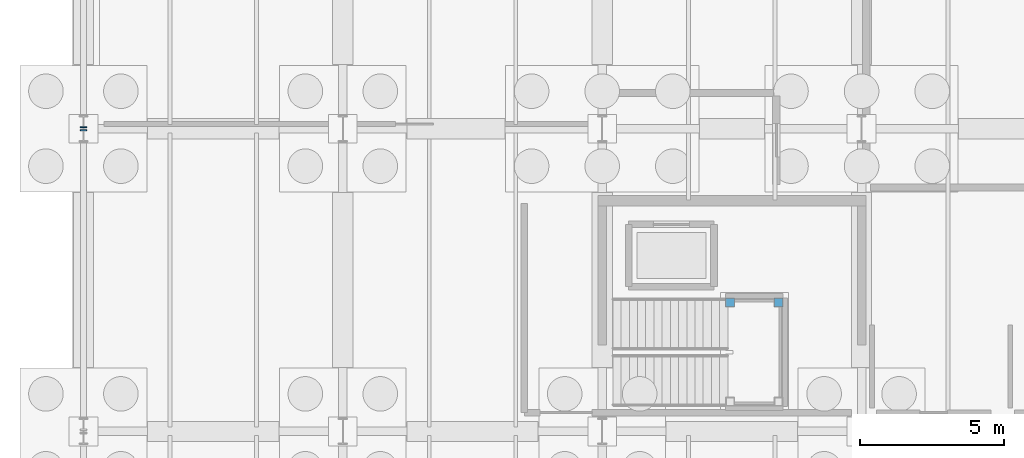
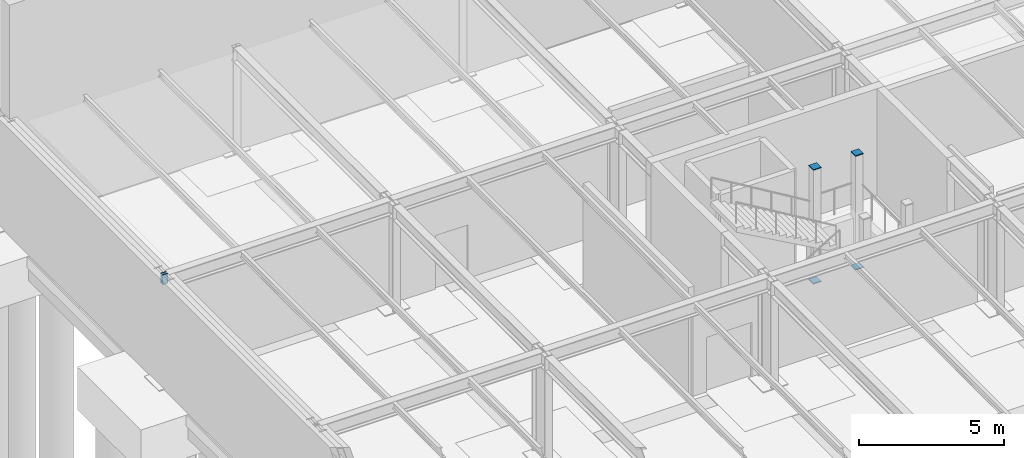
# One storey, part 12 of 19: 6 discrete accessories.
"""IFC4 building model written with IfcOpenShell, lengths in metres."""

from ifc_helpers import new_model, si_unit, direction, frame, origin, origin_2d, place, context, subcontext, project, spatial, rectangle, extrude, material, element, save


model = new_model("IFC4")

# Units and contexts
model_context = context("Model", 3, precision=1e-05, world=origin(), true_north=direction((0.0, 1.0)))
body_context = subcontext(model_context, "Body", "Model", "MODEL_VIEW")
ifc_project = project(units=[si_unit("LENGTHUNIT", "METRE"), si_unit("AREAUNIT", "SQUARE_METRE"), si_unit("VOLUMEUNIT", "CUBIC_METRE"), si_unit("PLANEANGLEUNIT", "RADIAN"), si_unit("MASSUNIT", "GRAM", prefix="KILO")], contexts=[model_context])

# Site, building, storey
site_placement = place(None, origin())
site = spatial("IfcSite", under=ifc_project, at=site_placement, CompositionType="ELEMENT")
building_placement = place(site_placement, origin())
building = spatial("IfcBuilding", under=site, at=building_placement, Name="Marlcrest Central Station", CompositionType="ELEMENT")
storey_placement = place(building_placement, frame((0.0, 0.0, -4.800048828125)))
storey = spatial("IfcBuildingStorey", under=building, at=storey_placement, Name="B1", CompositionType="ELEMENT", Elevation=-4.800048828125)

# Discrete accessories
ifc_material = material(Name="Steel S355", Category="steel")
for number, where, z_axis, x_axis, name in (
    (1, (0.0, 120.925048828125, 4.300048828125), (0.0, 1.0, 0.0), (-1.0, 0.0, 0.0), "endcap-bm-SP-01-B1-00034-e"),
    (2, (0.0, 121.03515625, 4.300048828125), (0.0, 1.0, 0.0), (-1.0, 0.0, 0.0), "endcap-bm-SP-01-B1-00035-s"),
):
    element("IfcDiscreteAccessory", number, at=place(storey_placement, frame(where, z_axis=z_axis, x_axis=x_axis)), inside=storey, material=ifc_material, Name=name, ObjectType="END_CAP_PLATE", PredefinedType="BRACKET", context=body_context, shape_type="SweptSolid", body=[
        extrude(rectangle(XDim=0.216064453125, YDim=0.416015625, at=origin_2d()), origin(), (0.0, 0.0, 1.0), 0.0400390625),
    ])
for number, where, z_axis, x_axis, name in (
    (3, (24.1201171875, 114.969970703125, -0.014892578125), (0.0, 0.0, 1.0), (1.0, 0.0, 0.0), "endcap-htcol-b1-0042-2-s"),
    (4, (24.1201171875, 114.969970703125, 4.775146484375), (0.0, 0.0, 1.0), (1.0, 0.0, 0.0), "endcap-htcol-b1-0042-2-e"),
    (5, (22.43994140625, 114.969970703125, -0.014892578125), (0.0, 0.0, 1.0), (1.0, 0.0, 0.0), "endcap-htcol-b1-0042-3-s"),
    (6, (22.43994140625, 114.969970703125, 4.775146484375), (0.0, 0.0, 1.0), (1.0, 0.0, 0.0), "endcap-htcol-b1-0042-3-e"),
):
    element("IfcDiscreteAccessory", number, at=place(storey_placement, frame(where, z_axis=z_axis, x_axis=x_axis)), inside=storey, material=ifc_material, Name=name, ObjectType="END_CAP_PLATE", PredefinedType="BRACKET", context=body_context, shape_type="SweptSolid", body=[
        extrude(rectangle(XDim=0.31591796875, YDim=0.31591796875, at=origin_2d()), origin(), (0.0, 0.0, 1.0), 0.0400390625),
    ])

save(model, "model.ifc")
